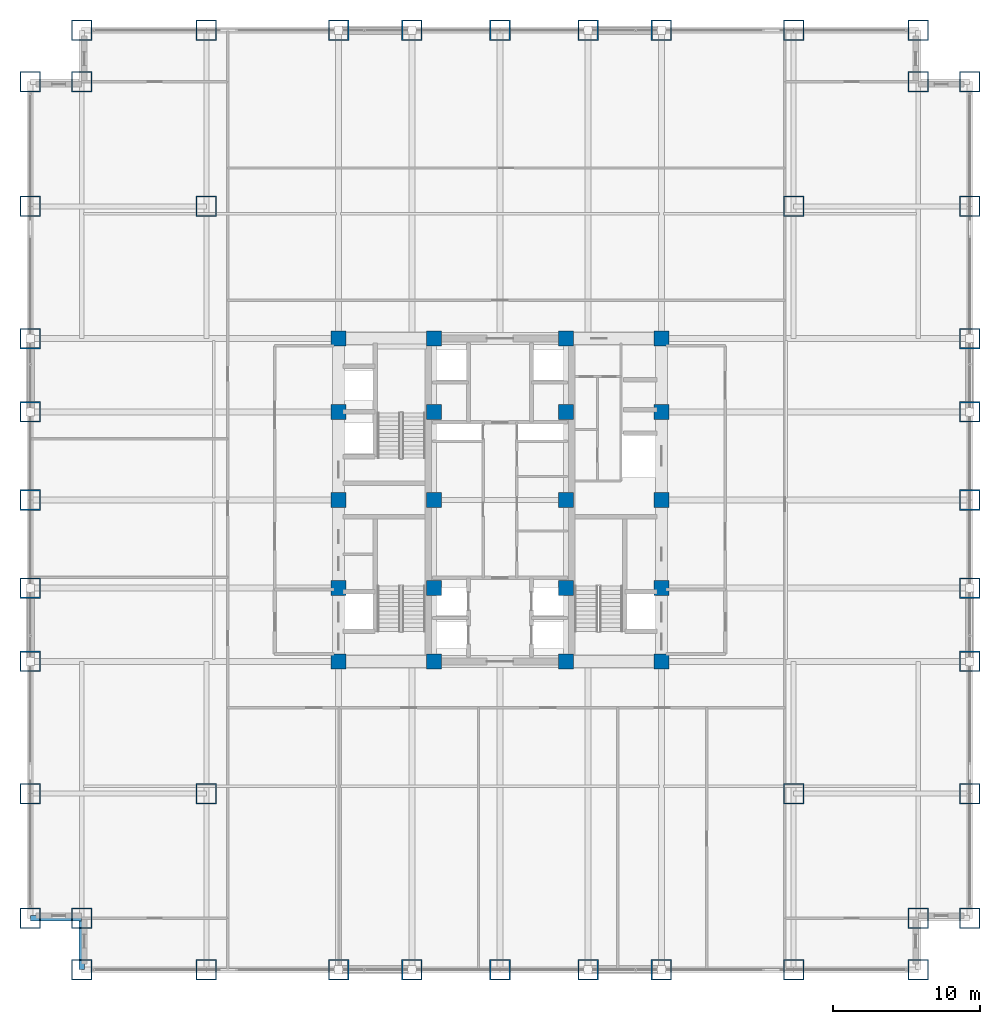
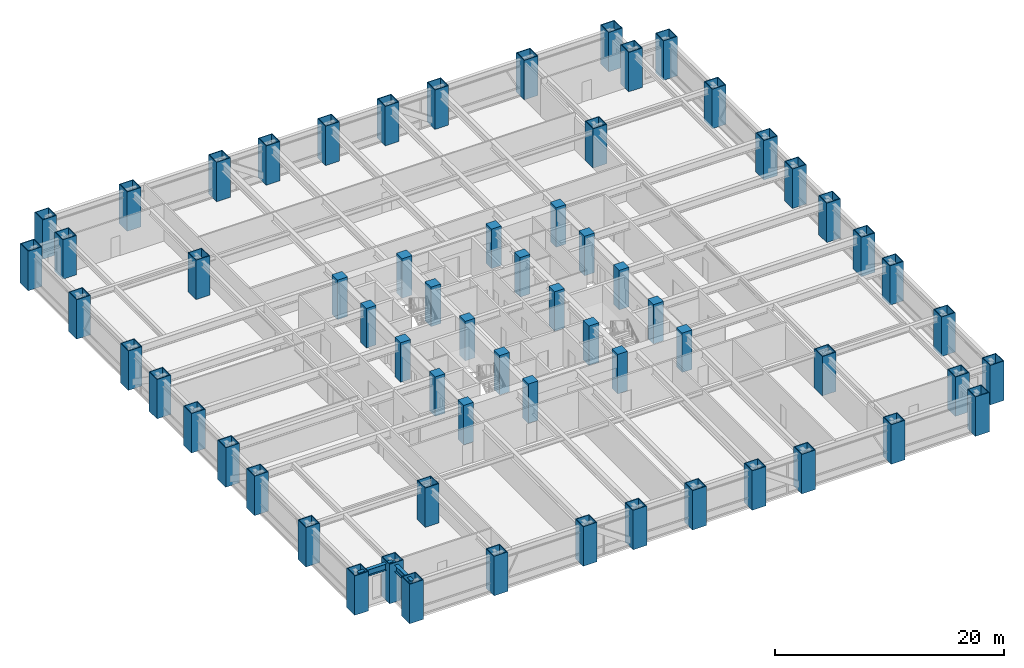
# One storey, part 1 of 27: 64 columns, 2 beams.
"""IFC4 building model written with IfcOpenShell, lengths in metres."""

from ifc_helpers import new_model, si_unit, direction, frame, origin, origin_2d, place, context, subcontext, project, spatial, rectangle, hollow_rectangle, i_section, extrude, source, transform, mapped, material, material_profile, profile_set, type_object, element, save


model = new_model("IFC4")

# Units and contexts
model_context = context("Model", 3, precision=1e-05, world=origin(), true_north=direction((0.0, 1.0)))
body_context = subcontext(model_context, "Body", "Model", "MODEL_VIEW")
ifc_project = project(units=[si_unit("LENGTHUNIT", "METRE"), si_unit("AREAUNIT", "SQUARE_METRE"), si_unit("VOLUMEUNIT", "CUBIC_METRE"), si_unit("PLANEANGLEUNIT", "RADIAN"), si_unit("MASSUNIT", "GRAM", prefix="KILO")], contexts=[model_context])

# Site, building, storey
site_placement = place(None, origin())
site = spatial("IfcSite", under=ifc_project, at=site_placement, CompositionType="ELEMENT")
building_placement = place(site_placement, origin())
building = spatial("IfcBuilding", under=site, at=building_placement, Name="Khorayat Bourse Tower", CompositionType="ELEMENT")
storey_placement = place(building_placement, frame((0.0, 0.0, 53.60009765625)))
storey = spatial("IfcBuildingStorey", under=building, at=storey_placement, Name="L11", CompositionType="ELEMENT", Elevation=53.60009765625)

# Columns
ifc_material_1 = material(Name="Steel EN 10025-4 S460M", Category="steel")
ifc_material_profile_1 = material_profile(ifc_material_1, hollow_rectangle(XDim=1.39990234375, YDim=1.39990234375, WallThickness=0.074951171875, at=origin_2d()), Name="BOX 1400x1400x75")
ifc_profile_set_1 = profile_set([ifc_material_profile_1], Name="Steel EN 10025-4 S460M")
column_type_1 = type_object("IfcColumnType", Name="COL-TUBE-1400", PredefinedType="COLUMN", material=ifc_profile_set_1)
shared_shape_1 = source(origin(), body_context, "Body", "SweptSolid", [
    extrude(hollow_rectangle(XDim=1.39990234375, YDim=1.39990234375, WallThickness=0.074951171875, at=origin_2d()), origin(), (0.0, 0.0, 1.0), 4.199951171875),
])
for number, where, z_axis, x_axis, name in (
    (1, (-32.0, -28.5, 0.0), (0.0, 0.0, 1.0), (1.0, 0.0, 0.0), "L11 Column 001"),
    (2, (-32.0, -20.0, 0.0), (0.0, 0.0, 1.0), (1.0, 0.0, 0.0), "L11 Column 002"),
    (3, (-32.0, -11.0, 0.0), (0.0, 0.0, 1.0), (1.0, 0.0, 0.0), "L11 Column 003"),
    (4, (-32.0, -6.0, 0.0), (0.0, 0.0, 1.0), (1.0, 0.0, 0.0), "L11 Column 004"),
    (5, (-32.0, 0.0, 0.0), (0.0, 0.0, 1.0), (1.0, 0.0, 0.0), "L11 Column 005"),
    (6, (-32.0, 6.0, 0.0), (0.0, 0.0, 1.0), (1.0, 0.0, 0.0), "L11 Column 006"),
    (7, (-32.0, 11.0, 0.0), (0.0, 0.0, 1.0), (1.0, 0.0, 0.0), "L11 Column 007"),
    (8, (-32.0, 20.0, 0.0), (0.0, 0.0, 1.0), (1.0, 0.0, 0.0), "L11 Column 008"),
    (9, (-32.0, 28.5, 0.0), (0.0, 0.0, 1.0), (1.0, 0.0, 0.0), "L11 Column 009"),
    (10, (-28.5, -32.0, 0.0), (0.0, 0.0, 1.0), (1.0, 0.0, 0.0), "L11 Column 010"),
    (11, (-28.5, -28.5, 0.0), (0.0, 0.0, 1.0), (1.0, 0.0, 0.0), "L11 Column 011"),
    (12, (-28.5, 28.5, 0.0), (0.0, 0.0, 1.0), (1.0, 0.0, 0.0), "L11 Column 012"),
    (13, (-28.5, 32.0, 0.0), (0.0, 0.0, 1.0), (1.0, 0.0, 0.0), "L11 Column 013"),
    (14, (-20.0, -32.0, 0.0), (0.0, 0.0, 1.0), (1.0, 0.0, 0.0), "L11 Column 014"),
    (15, (-20.0, -20.0, 0.0), (0.0, 0.0, 1.0), (1.0, 0.0, 0.0), "L11 Column 015"),
    (16, (-20.0, 20.0, 0.0), (0.0, 0.0, 1.0), (1.0, 0.0, 0.0), "L11 Column 016"),
    (17, (-20.0, 32.0, 0.0), (0.0, 0.0, 1.0), (1.0, 0.0, 0.0), "L11 Column 017"),
    (18, (-11.0, -32.0, 0.0), (0.0, 0.0, 1.0), (1.0, 0.0, 0.0), "L11 Column 018"),
    (19, (-11.0, 32.0, 0.0), (0.0, 0.0, 1.0), (1.0, 0.0, 0.0), "L11 Column 024"),
    (20, (-6.0, -32.0, 0.0), (0.0, 0.0, 1.0), (1.0, 0.0, 0.0), "L11 Column 025"),
    (21, (-6.0, 32.0, 0.0), (0.0, 0.0, 1.0), (1.0, 0.0, 0.0), "L11 Column 026"),
    (22, (0.0, -32.0, 0.0), (0.0, 0.0, 1.0), (1.0, 0.0, 0.0), "L11 Column 032"),
    (23, (0.0, 32.0, 0.0), (0.0, 0.0, 1.0), (1.0, 0.0, 0.0), "L11 Column 033"),
    (24, (6.0, -32.0, 0.0), (0.0, 0.0, 1.0), (1.0, 0.0, 0.0), "L11 Column 039"),
    (25, (6.0, 32.0, 0.0), (0.0, 0.0, 1.0), (1.0, 0.0, 0.0), "L11 Column 040"),
    (26, (11.0, -32.0, 0.0), (0.0, 0.0, 1.0), (1.0, 0.0, 0.0), "L11 Column 041"),
    (27, (11.0, 32.0, 0.0), (0.0, 0.0, 1.0), (1.0, 0.0, 0.0), "L11 Column 047"),
    (28, (20.0, -32.0, 0.0), (0.0, 0.0, 1.0), (1.0, 0.0, 0.0), "L11 Column 048"),
    (29, (20.0, -20.0, 0.0), (0.0, 0.0, 1.0), (1.0, 0.0, 0.0), "L11 Column 049"),
    (30, (20.0, 20.0, 0.0), (0.0, 0.0, 1.0), (1.0, 0.0, 0.0), "L11 Column 050"),
    (31, (20.0, 32.0, 0.0), (0.0, 0.0, 1.0), (1.0, 0.0, 0.0), "L11 Column 051"),
    (32, (28.5, -32.0, 0.0), (0.0, 0.0, 1.0), (1.0, 0.0, 0.0), "L11 Column 052"),
    (33, (28.5, -28.5, 0.0), (0.0, 0.0, 1.0), (1.0, 0.0, 0.0), "L11 Column 053"),
    (34, (28.5, 28.5, 0.0), (0.0, 0.0, 1.0), (1.0, 0.0, 0.0), "L11 Column 054"),
    (35, (28.5, 32.0, 0.0), (0.0, 0.0, 1.0), (1.0, 0.0, 0.0), "L11 Column 055"),
    (36, (32.0, -28.5, 0.0), (0.0, 0.0, 1.0), (1.0, 0.0, 0.0), "L11 Column 056"),
    (37, (32.0, -20.0, 0.0), (0.0, 0.0, 1.0), (1.0, 0.0, 0.0), "L11 Column 057"),
    (38, (32.0, -11.0, 0.0), (0.0, 0.0, 1.0), (1.0, 0.0, 0.0), "L11 Column 058"),
    (39, (32.0, -6.0, 0.0), (0.0, 0.0, 1.0), (1.0, 0.0, 0.0), "L11 Column 059"),
    (40, (32.0, 0.0, 0.0), (0.0, 0.0, 1.0), (1.0, 0.0, 0.0), "L11 Column 060"),
    (41, (32.0, 6.0, 0.0), (0.0, 0.0, 1.0), (1.0, 0.0, 0.0), "L11 Column 061"),
    (42, (32.0, 11.0, 0.0), (0.0, 0.0, 1.0), (1.0, 0.0, 0.0), "L11 Column 062"),
    (43, (32.0, 20.0, 0.0), (0.0, 0.0, 1.0), (1.0, 0.0, 0.0), "L11 Column 063"),
    (44, (32.0, 28.5, 0.0), (0.0, 0.0, 1.0), (1.0, 0.0, 0.0), "L11 Column 064"),
):
    element("IfcColumn", number, at=place(storey_placement, frame(where, z_axis=z_axis, x_axis=x_axis)), inside=storey, type_object=column_type_1, Name=name, PredefinedType="COLUMN", context=body_context, shape_type="MappedRepresentation", body=[
        mapped(shared_shape_1, transform((0.0, 0.0, 0.0), scale=1.0)),
    ])
ifc_material_2 = material(Name="Concrete C72/90", Category="concrete")
ifc_material_profile_2 = material_profile(ifc_material_2, rectangle(XDim=1.0, YDim=1.0, at=origin_2d()), Name="RC 1000x1000")
ifc_profile_set_2 = profile_set([ifc_material_profile_2], Name="Concrete C72/90")
column_type_2 = type_object("IfcColumnType", Name="COL-CORE-1000", PredefinedType="COLUMN", material=ifc_profile_set_2)
shared_shape_2 = source(origin(), body_context, "Body", "SweptSolid", [
    extrude(rectangle(XDim=1.0, YDim=1.0, at=origin_2d()), origin(), (0.0, 0.0, 1.0), 4.199951171875),
])
for number, where, z_axis, x_axis, name in (
    (45, (-11.0, -11.0, 0.0), (0.0, 0.0, 1.0), (1.0, 0.0, 0.0), "L11 Column 019"),
    (46, (-11.0, -6.0, 0.0), (0.0, 0.0, 1.0), (1.0, 0.0, 0.0), "L11 Column 020"),
    (47, (-11.0, 0.0, 0.0), (0.0, 0.0, 1.0), (1.0, 0.0, 0.0), "L11 Column 021"),
    (48, (-11.0, 6.0, 0.0), (0.0, 0.0, 1.0), (1.0, 0.0, 0.0), "L11 Column 022"),
    (49, (-11.0, 11.0, 0.0), (0.0, 0.0, 1.0), (1.0, 0.0, 0.0), "L11 Column 023"),
    (50, (-4.5, -11.0, 0.0), (0.0, 0.0, 1.0), (1.0, 0.0, 0.0), "L11 Column 027"),
    (51, (-4.5, -6.0, 0.0), (0.0, 0.0, 1.0), (1.0, 0.0, 0.0), "L11 Column 028"),
    (52, (-4.5, 0.0, 0.0), (0.0, 0.0, 1.0), (1.0, 0.0, 0.0), "L11 Column 029"),
    (53, (-4.5, 6.0, 0.0), (0.0, 0.0, 1.0), (1.0, 0.0, 0.0), "L11 Column 030"),
    (54, (-4.5, 11.0, 0.0), (0.0, 0.0, 1.0), (1.0, 0.0, 0.0), "L11 Column 031"),
    (55, (4.5, -11.0, 0.0), (0.0, 0.0, 1.0), (1.0, 0.0, 0.0), "L11 Column 034"),
    (56, (4.5, -6.0, 0.0), (0.0, 0.0, 1.0), (1.0, 0.0, 0.0), "L11 Column 035"),
    (57, (4.5, 0.0, 0.0), (0.0, 0.0, 1.0), (1.0, 0.0, 0.0), "L11 Column 036"),
    (58, (4.5, 6.0, 0.0), (0.0, 0.0, 1.0), (1.0, 0.0, 0.0), "L11 Column 037"),
    (59, (4.5, 11.0, 0.0), (0.0, 0.0, 1.0), (1.0, 0.0, 0.0), "L11 Column 038"),
    (60, (11.0, -11.0, 0.0), (0.0, 0.0, 1.0), (1.0, 0.0, 0.0), "L11 Column 042"),
    (61, (11.0, -6.0, 0.0), (0.0, 0.0, 1.0), (1.0, 0.0, 0.0), "L11 Column 043"),
    (62, (11.0, 0.0, 0.0), (0.0, 0.0, 1.0), (1.0, 0.0, 0.0), "L11 Column 044"),
    (63, (11.0, 6.0, 0.0), (0.0, 0.0, 1.0), (1.0, 0.0, 0.0), "L11 Column 045"),
    (64, (11.0, 11.0, 0.0), (0.0, 0.0, 1.0), (1.0, 0.0, 0.0), "L11 Column 046"),
):
    element("IfcColumn", number, at=place(storey_placement, frame(where, z_axis=z_axis, x_axis=x_axis)), inside=storey, type_object=column_type_2, Name=name, PredefinedType="COLUMN", context=body_context, shape_type="MappedRepresentation", body=[
        mapped(shared_shape_2, transform((0.0, 0.0, 0.0), scale=1.0)),
    ])

# Beams
ifc_material_3 = material(Name="Steel ASTM A992 Grade 50", Category="steel")
ifc_material_profile_3 = material_profile(ifc_material_3, i_section(OverallWidth=0.35498046875, OverallDepth=0.695068359375, WebThickness=0.015380859375, FlangeThickness=0.02490234375, FilletRadius=0.01806640625, at=origin_2d()), Name="W690X217")
ifc_profile_set_3 = profile_set([ifc_material_profile_3], Name="Steel ASTM A992 Grade 50")
beam_type = type_object("IfcBeamType", Name="BM-SPAN-690", PredefinedType="SPANDREL", material=ifc_profile_set_3)
shared_shape_3 = source(origin(), body_context, "Body", "SweptSolid", [
    extrude(i_section(OverallWidth=0.35498046875, OverallDepth=0.695068359375, WebThickness=0.015380859375, FlangeThickness=0.02490234375, FilletRadius=0.01806640625, at=origin_2d()), origin(), (0.0, 0.0, 1.0), 3.5),
])
for number, where, z_axis, x_axis, name in (
    (65, (-32.0, -28.5, 3.59228515625), (1.0, 0.0, 0.0), (0.0, 1.0, 0.0), "L11 BM-SPAN-690 BM-L11-SPN-062"),
    (66, (-28.5, -32.0, 3.59228515625), (0.0, 1.0, 0.0), (-1.0, 0.0, 0.0), "L11 BM-SPAN-690 BM-L11-SPN-063"),
):
    element("IfcBeam", number, at=place(storey_placement, frame(where, z_axis=z_axis, x_axis=x_axis)), inside=storey, type_object=beam_type, Name=name, PredefinedType="SPANDREL", context=body_context, shape_type="MappedRepresentation", body=[
        mapped(shared_shape_3, transform((0.0, 0.0, 0.0), scale=1.0)),
    ])

save(model, "model.ifc")
